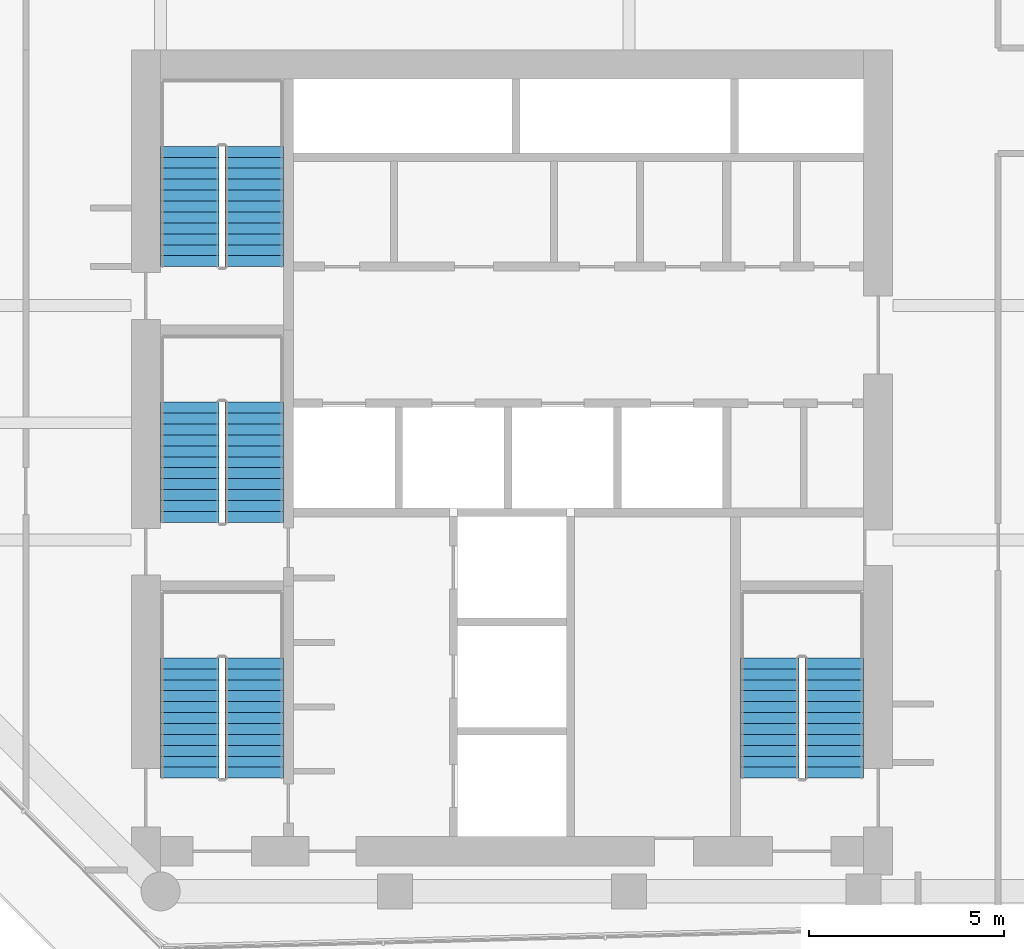
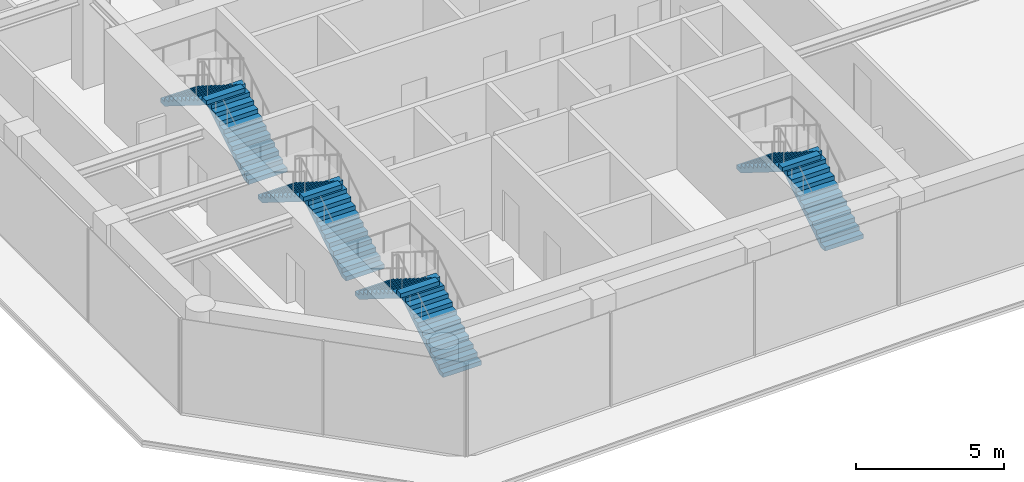
# One storey, part 21 of 23: 8 stair flights, 4 elements without a shape of their own.
"""IFC4 building model written with IfcOpenShell, lengths in metres."""

from ifc_helpers import new_model, si_unit, direction, frame, origin, place, context, subcontext, project, spatial, polyline, outline, extrude, material, type_object, element, aggregate, save


model = new_model("IFC4")

# Units and contexts
model_context = context("Model", 3, precision=1e-05, world=origin(), true_north=direction((0.0, 1.0)))
body_context = subcontext(model_context, "Body", "Model", "MODEL_VIEW")
ifc_project = project(units=[si_unit("LENGTHUNIT", "METRE"), si_unit("AREAUNIT", "SQUARE_METRE"), si_unit("VOLUMEUNIT", "CUBIC_METRE"), si_unit("PLANEANGLEUNIT", "RADIAN"), si_unit("MASSUNIT", "GRAM", prefix="KILO")], contexts=[model_context])

# Site, building, storey
site_placement = place(None, origin())
site = spatial("IfcSite", under=ifc_project, at=site_placement, CompositionType="ELEMENT")
building_placement = place(site_placement, origin())
building = spatial("IfcBuilding", under=site, at=building_placement, Name="Welwitschia Terrace Campus", CompositionType="ELEMENT")
storey_placement = place(building_placement, frame((0.0, 0.0, 104.60009765625)))
storey = spatial("IfcBuildingStorey", under=building, at=storey_placement, Name="L23", CompositionType="ELEMENT", Elevation=104.60009765625)

# Stair, stair flights
ifc_material_1 = material(Name="Concrete C40/50", Category="concrete")
stair_type = type_object("IfcStairType", Name="Stair 24R 175 W1500", PredefinedType="HALF_TURN_STAIR", material=ifc_material_1)
stair_1_placement = place(storey_placement, origin())
stair_1 = element("IfcStair", 1, at=stair_1_placement, inside=storey, type_object=stair_type, Name="L23 Exit stair S1", PredefinedType="HALF_TURN_STAIR")
ifc_material_2 = material(Name="Concrete C40/50", Category="concrete")
stair_flight_type = type_object("IfcStairFlightType", Name="Stair flight 24R 175 W1500", PredefinedType="STRAIGHT", material=ifc_material_2)
stair_flight_1_placement = place(storey_placement, frame((8.39990234375, 6.89990234375, 0.0), z_axis=(0.0, 0.0, 1.0), x_axis=(0.0, 1.0, 0.0)))
stair_flight_1 = element("IfcStairFlight", 2, at=stair_flight_1_placement, type_object=stair_flight_type, Name="S1 flight 1", NumberOfRisers=12, NumberOfTreads=11, PredefinedType="STRAIGHT", RiserHeight=0.175, TreadLength=0.28, context=body_context, shape_type="SweptSolid", body=[
    extrude(outline(polyline([(0.0, 0.0), (0.0, 0.175048828125), (0.280029296875, 0.175048828125), (0.280029296875, 0.35009765625), (0.56005859375, 0.35009765625), (0.56005859375, 0.52490234375), (0.840087890625, 0.52490234375), (0.840087890625, 0.699951171875), (1.1201171875, 0.699951171875), (1.1201171875, 0.875), (1.39990234375, 0.875), (1.39990234375, 1.050048828125), (1.679931640625, 1.050048828125), (1.679931640625, 1.22509765625), (1.9599609375, 1.22509765625), (1.9599609375, 1.39990234375), (2.239990234375, 1.39990234375), (2.239990234375, 1.574951171875), (2.52001953125, 1.574951171875), (2.52001953125, 1.75), (2.800048828125, 1.75), (2.800048828125, 1.925048828125), (3.080078125, 1.925048828125), (3.080078125, 2.10009765625), (3.080078125, 1.748291015625), (0.28271484375, 0.0), (0.0, 0.0)])), frame((0.0, 0.75, 0.0), z_axis=(0.0, -1.0, 0.0), x_axis=(1.0, 0.0, 0.0)), (0.0, 0.0, 1.0), 1.5),
])
stair_flight_2_placement = place(storey_placement, frame((6.75, 9.97998046875, 2.099853515625), z_axis=(0.0, 0.0, 1.0), x_axis=(0.0, -1.0, 0.0)))
stair_flight_2 = element("IfcStairFlight", 3, at=stair_flight_2_placement, type_object=stair_flight_type, Name="S1 flight 2", NumberOfRisers=12, NumberOfTreads=11, PredefinedType="STRAIGHT", RiserHeight=0.175, TreadLength=0.28, context=body_context, shape_type="SweptSolid", body=[
    extrude(outline(polyline([(0.0, 0.0), (0.0, 0.175048828125), (0.280029296875, 0.175048828125), (0.280029296875, 0.35009765625), (0.56005859375, 0.35009765625), (0.56005859375, 0.52490234375), (0.840087890625, 0.52490234375), (0.840087890625, 0.699951171875), (1.1201171875, 0.699951171875), (1.1201171875, 0.875), (1.39990234375, 0.875), (1.39990234375, 1.050048828125), (1.679931640625, 1.050048828125), (1.679931640625, 1.22509765625), (1.9599609375, 1.22509765625), (1.9599609375, 1.39990234375), (2.239990234375, 1.39990234375), (2.239990234375, 1.574951171875), (2.52001953125, 1.574951171875), (2.52001953125, 1.75), (2.800048828125, 1.75), (2.800048828125, 1.925048828125), (3.080078125, 1.925048828125), (3.080078125, 2.10009765625), (3.080078125, 1.748291015625), (0.28271484375, 0.0), (0.0, 0.0)])), frame((0.0, 0.75, 0.0), z_axis=(0.0, -1.0, 0.0), x_axis=(1.0, 0.0, 0.0)), (0.0, 0.0, 1.0), 1.5),
])
aggregate(stair_1, [stair_flight_1, stair_flight_2])

stair_2_placement = place(storey_placement, origin())
stair_2 = element("IfcStair", 4, at=stair_2_placement, inside=storey, type_object=stair_type, Name="L23 Exit stair S3", PredefinedType="HALF_TURN_STAIR")
stair_flight_3_placement = place(storey_placement, frame((8.39990234375, 13.449951171875, 0.0), z_axis=(0.0, 0.0, 1.0), x_axis=(0.0, 1.0, 0.0)))
stair_flight_3 = element("IfcStairFlight", 5, at=stair_flight_3_placement, type_object=stair_flight_type, Name="S3 flight 1", NumberOfRisers=12, NumberOfTreads=11, PredefinedType="STRAIGHT", RiserHeight=0.175, TreadLength=0.28, context=body_context, shape_type="SweptSolid", body=[
    extrude(outline(polyline([(0.0, 0.0), (0.0, 0.175048828125), (0.280029296875, 0.175048828125), (0.280029296875, 0.35009765625), (0.56005859375, 0.35009765625), (0.56005859375, 0.52490234375), (0.840087890625, 0.52490234375), (0.840087890625, 0.699951171875), (1.1201171875, 0.699951171875), (1.1201171875, 0.875), (1.39990234375, 0.875), (1.39990234375, 1.050048828125), (1.679931640625, 1.050048828125), (1.679931640625, 1.22509765625), (1.9599609375, 1.22509765625), (1.9599609375, 1.39990234375), (2.239990234375, 1.39990234375), (2.239990234375, 1.574951171875), (2.52001953125, 1.574951171875), (2.52001953125, 1.75), (2.800048828125, 1.75), (2.800048828125, 1.925048828125), (3.080078125, 1.925048828125), (3.080078125, 2.10009765625), (3.080078125, 1.748291015625), (0.28271484375, 0.0), (0.0, 0.0)])), frame((0.0, 0.75, 0.0), z_axis=(0.0, -1.0, 0.0), x_axis=(1.0, 0.0, 0.0)), (0.0, 0.0, 1.0), 1.5),
])
stair_flight_4_placement = place(storey_placement, frame((6.75, 16.530029296875, 2.099853515625), z_axis=(0.0, 0.0, 1.0), x_axis=(0.0, -1.0, 0.0)))
stair_flight_4 = element("IfcStairFlight", 6, at=stair_flight_4_placement, type_object=stair_flight_type, Name="S3 flight 2", NumberOfRisers=12, NumberOfTreads=11, PredefinedType="STRAIGHT", RiserHeight=0.175, TreadLength=0.28, context=body_context, shape_type="SweptSolid", body=[
    extrude(outline(polyline([(0.0, 0.0), (0.0, 0.175048828125), (0.280029296875, 0.175048828125), (0.280029296875, 0.35009765625), (0.56005859375, 0.35009765625), (0.56005859375, 0.52490234375), (0.840087890625, 0.52490234375), (0.840087890625, 0.699951171875), (1.1201171875, 0.699951171875), (1.1201171875, 0.875), (1.39990234375, 0.875), (1.39990234375, 1.050048828125), (1.679931640625, 1.050048828125), (1.679931640625, 1.22509765625), (1.9599609375, 1.22509765625), (1.9599609375, 1.39990234375), (2.239990234375, 1.39990234375), (2.239990234375, 1.574951171875), (2.52001953125, 1.574951171875), (2.52001953125, 1.75), (2.800048828125, 1.75), (2.800048828125, 1.925048828125), (3.080078125, 1.925048828125), (3.080078125, 2.10009765625), (3.080078125, 1.748291015625), (0.28271484375, 0.0), (0.0, 0.0)])), frame((0.0, 0.75, 0.0), z_axis=(0.0, -1.0, 0.0), x_axis=(1.0, 0.0, 0.0)), (0.0, 0.0, 1.0), 1.5),
])
aggregate(stair_2, [stair_flight_3, stair_flight_4])

stair_3_placement = place(storey_placement, origin())
stair_3 = element("IfcStair", 7, at=stair_3_placement, inside=storey, type_object=stair_type, Name="L23 Exit stair S4", PredefinedType="HALF_TURN_STAIR")
stair_flight_5_placement = place(storey_placement, frame((8.39990234375, 20.0, 0.0), z_axis=(0.0, 0.0, 1.0), x_axis=(0.0, 1.0, 0.0)))
stair_flight_5 = element("IfcStairFlight", 8, at=stair_flight_5_placement, type_object=stair_flight_type, Name="S4 flight 1", NumberOfRisers=12, NumberOfTreads=11, PredefinedType="STRAIGHT", RiserHeight=0.175, TreadLength=0.28, context=body_context, shape_type="SweptSolid", body=[
    extrude(outline(polyline([(0.0, 0.0), (0.0, 0.175048828125), (0.280029296875, 0.175048828125), (0.280029296875, 0.35009765625), (0.56005859375, 0.35009765625), (0.56005859375, 0.52490234375), (0.840087890625, 0.52490234375), (0.840087890625, 0.699951171875), (1.1201171875, 0.699951171875), (1.1201171875, 0.875), (1.39990234375, 0.875), (1.39990234375, 1.050048828125), (1.679931640625, 1.050048828125), (1.679931640625, 1.22509765625), (1.9599609375, 1.22509765625), (1.9599609375, 1.39990234375), (2.239990234375, 1.39990234375), (2.239990234375, 1.574951171875), (2.52001953125, 1.574951171875), (2.52001953125, 1.75), (2.800048828125, 1.75), (2.800048828125, 1.925048828125), (3.080078125, 1.925048828125), (3.080078125, 2.10009765625), (3.080078125, 1.748291015625), (0.28271484375, 0.0), (0.0, 0.0)])), frame((0.0, 0.75, 0.0), z_axis=(0.0, -1.0, 0.0), x_axis=(1.0, 0.0, 0.0)), (0.0, 0.0, 1.0), 1.5),
])
stair_flight_6_placement = place(storey_placement, frame((6.75, 23.080078125, 2.099853515625), z_axis=(0.0, 0.0, 1.0), x_axis=(0.0, -1.0, 0.0)))
stair_flight_6 = element("IfcStairFlight", 9, at=stair_flight_6_placement, type_object=stair_flight_type, Name="S4 flight 2", NumberOfRisers=12, NumberOfTreads=11, PredefinedType="STRAIGHT", RiserHeight=0.175, TreadLength=0.28, context=body_context, shape_type="SweptSolid", body=[
    extrude(outline(polyline([(0.0, 0.0), (0.0, 0.175048828125), (0.280029296875, 0.175048828125), (0.280029296875, 0.35009765625), (0.56005859375, 0.35009765625), (0.56005859375, 0.52490234375), (0.840087890625, 0.52490234375), (0.840087890625, 0.699951171875), (1.1201171875, 0.699951171875), (1.1201171875, 0.875), (1.39990234375, 0.875), (1.39990234375, 1.050048828125), (1.679931640625, 1.050048828125), (1.679931640625, 1.22509765625), (1.9599609375, 1.22509765625), (1.9599609375, 1.39990234375), (2.239990234375, 1.39990234375), (2.239990234375, 1.574951171875), (2.52001953125, 1.574951171875), (2.52001953125, 1.75), (2.800048828125, 1.75), (2.800048828125, 1.925048828125), (3.080078125, 1.925048828125), (3.080078125, 2.10009765625), (3.080078125, 1.748291015625), (0.28271484375, 0.0), (0.0, 0.0)])), frame((0.0, 0.75, 0.0), z_axis=(0.0, -1.0, 0.0), x_axis=(1.0, 0.0, 0.0)), (0.0, 0.0, 1.0), 1.5),
])
aggregate(stair_3, [stair_flight_5, stair_flight_6])

stair_4_placement = place(storey_placement, origin())
stair_4 = element("IfcStair", 10, at=stair_4_placement, inside=storey, type_object=stair_type, Name="L23 Exit stair S2", PredefinedType="HALF_TURN_STAIR")
stair_flight_7_placement = place(storey_placement, frame((23.25, 6.89990234375, 0.0), z_axis=(0.0, 0.0, 1.0), x_axis=(0.0, 1.0, 0.0)))
stair_flight_7 = element("IfcStairFlight", 11, at=stair_flight_7_placement, type_object=stair_flight_type, Name="S2 flight 1", NumberOfRisers=12, NumberOfTreads=11, PredefinedType="STRAIGHT", RiserHeight=0.175, TreadLength=0.28, context=body_context, shape_type="SweptSolid", body=[
    extrude(outline(polyline([(0.0, 0.0), (0.0, 0.175048828125), (0.280029296875, 0.175048828125), (0.280029296875, 0.35009765625), (0.56005859375, 0.35009765625), (0.56005859375, 0.52490234375), (0.840087890625, 0.52490234375), (0.840087890625, 0.699951171875), (1.1201171875, 0.699951171875), (1.1201171875, 0.875), (1.39990234375, 0.875), (1.39990234375, 1.050048828125), (1.679931640625, 1.050048828125), (1.679931640625, 1.22509765625), (1.9599609375, 1.22509765625), (1.9599609375, 1.39990234375), (2.239990234375, 1.39990234375), (2.239990234375, 1.574951171875), (2.52001953125, 1.574951171875), (2.52001953125, 1.75), (2.800048828125, 1.75), (2.800048828125, 1.925048828125), (3.080078125, 1.925048828125), (3.080078125, 2.10009765625), (3.080078125, 1.748291015625), (0.28271484375, 0.0), (0.0, 0.0)])), frame((0.0, 0.75, 0.0), z_axis=(0.0, -1.0, 0.0), x_axis=(1.0, 0.0, 0.0)), (0.0, 0.0, 1.0), 1.5),
])
stair_flight_8_placement = place(storey_placement, frame((21.60009765625, 9.97998046875, 2.099853515625), z_axis=(0.0, 0.0, 1.0), x_axis=(0.0, -1.0, 0.0)))
stair_flight_8 = element("IfcStairFlight", 12, at=stair_flight_8_placement, type_object=stair_flight_type, Name="S2 flight 2", NumberOfRisers=12, NumberOfTreads=11, PredefinedType="STRAIGHT", RiserHeight=0.175, TreadLength=0.28, context=body_context, shape_type="SweptSolid", body=[
    extrude(outline(polyline([(0.0, 0.0), (0.0, 0.175048828125), (0.280029296875, 0.175048828125), (0.280029296875, 0.35009765625), (0.56005859375, 0.35009765625), (0.56005859375, 0.52490234375), (0.840087890625, 0.52490234375), (0.840087890625, 0.699951171875), (1.1201171875, 0.699951171875), (1.1201171875, 0.875), (1.39990234375, 0.875), (1.39990234375, 1.050048828125), (1.679931640625, 1.050048828125), (1.679931640625, 1.22509765625), (1.9599609375, 1.22509765625), (1.9599609375, 1.39990234375), (2.239990234375, 1.39990234375), (2.239990234375, 1.574951171875), (2.52001953125, 1.574951171875), (2.52001953125, 1.75), (2.800048828125, 1.75), (2.800048828125, 1.925048828125), (3.080078125, 1.925048828125), (3.080078125, 2.10009765625), (3.080078125, 1.748291015625), (0.28271484375, 0.0), (0.0, 0.0)])), frame((0.0, 0.75, 0.0), z_axis=(0.0, -1.0, 0.0), x_axis=(1.0, 0.0, 0.0)), (0.0, 0.0, 1.0), 1.5),
])
aggregate(stair_4, [stair_flight_7, stair_flight_8])

save(model, "model.ifc")
